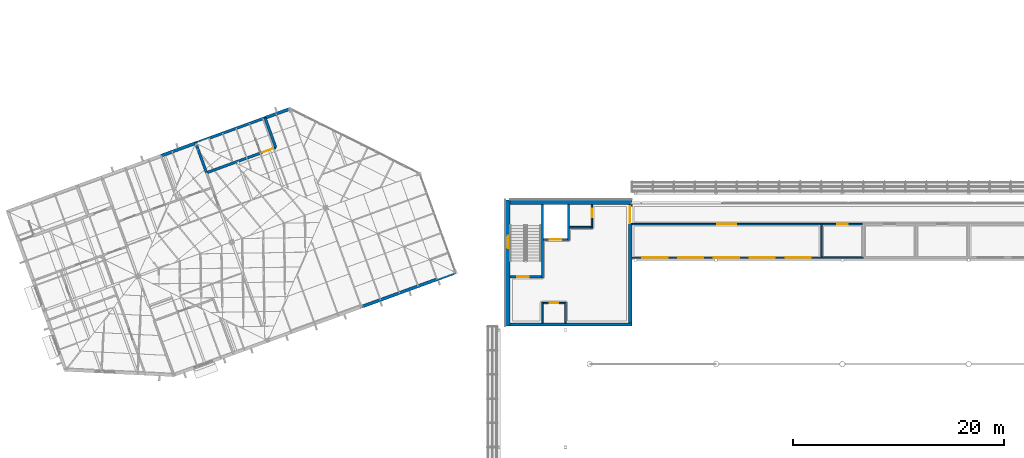
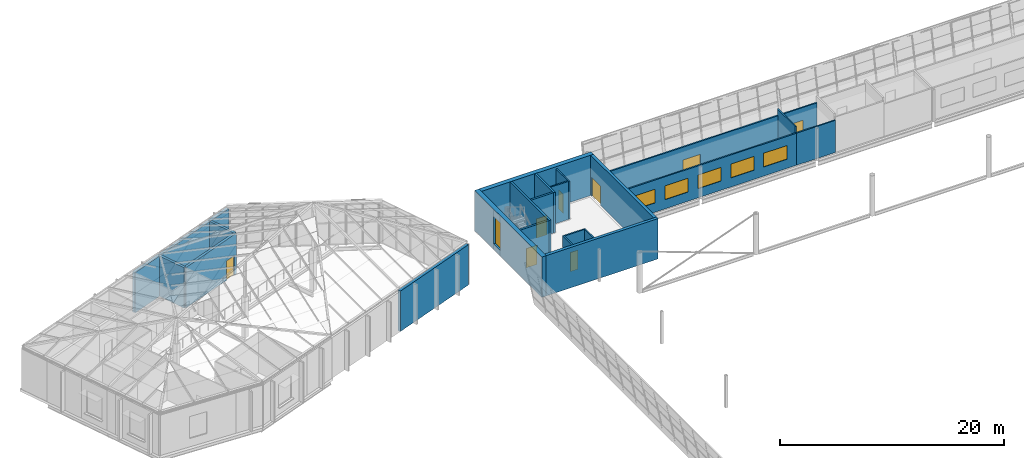
# One storey, part 52 of 95: 25 walls, 8 doors, 6 windows, 14 openings.
"""IFC4 building model written with IfcOpenShell, lengths in metres."""

from ifc_helpers import new_model, si_unit, direction, frame, frame_2d, origin, place, context, subcontext, project, spatial, rectangle, extrude, material, layer, layer_set, type_object, element, fill, save


model = new_model("IFC4")

# Units and contexts
model_context = context("Model", 3, precision=1e-05, world=origin(), true_north=direction((0.0, 1.0)))
body_context = subcontext(model_context, "Body", "Model", "MODEL_VIEW")
ifc_project = project(units=[si_unit("LENGTHUNIT", "METRE"), si_unit("AREAUNIT", "SQUARE_METRE"), si_unit("VOLUMEUNIT", "CUBIC_METRE"), si_unit("PLANEANGLEUNIT", "RADIAN"), si_unit("MASSUNIT", "GRAM", prefix="KILO")], contexts=[model_context])

# Site, building, storey
site_placement = place(None, origin())
site = spatial("IfcSite", under=ifc_project, at=site_placement, CompositionType="ELEMENT")
building_placement = place(site_placement, origin())
building = spatial("IfcBuilding", under=site, at=building_placement, Name="Windward Yard Aquatics Centre", CompositionType="ELEMENT")
storey_placement = place(building_placement, frame((0.0, 0.0, 9.39990234375)))
storey = spatial("IfcBuildingStorey", under=building, at=storey_placement, Name="L02", CompositionType="ELEMENT", Elevation=9.39990234375)

# Wall
ifc_material_1 = material(Name="Concrete C40/50", Category="concrete")
ifc_layer_1 = layer(ifc_material_1, 0.25)
ifc_layer_set_1 = layer_set([ifc_layer_1], Name="F core wall 250 Concrete C40/50")
wall_type_1 = type_object("IfcWallType", Name="F core wall 250 Concrete C40/50", PredefinedType="SOLIDWALL", material=ifc_layer_set_1)
wall_1_placement = place(storey_placement, frame((23.60595703125, 98.577880859375, 0.0), z_axis=(0.0, 0.0, 1.0), x_axis=(-0.342037080957, 0.939686455819, 0.0)))
element("IfcWall", 1, at=wall_1_placement, inside=storey, type_object=wall_type_1, Name="F.WL.L02.C05", PredefinedType="SOLIDWALL", context=body_context, shape_type="SweptSolid", body=[
    extrude(rectangle(XDim=3.0, YDim=0.25, at=frame_2d((1.5, 0.0))), origin(), (0.0, 0.0, 1.0), 4.400146484375),
])

# Wall, opening, door
wall_2_placement = place(storey_placement, frame((23.60595703125, 98.577880859375, 0.0), z_axis=(0.0, 0.0, 1.0), x_axis=(0.939693585395, 0.342017493073, 0.0)))
wall_2 = element("IfcWall", 2, at=wall_2_placement, inside=storey, type_object=wall_type_1, Name="F.WL.L02.C06", PredefinedType="SOLIDWALL", context=body_context, shape_type="SweptSolid", body=[
    extrude(rectangle(XDim=6.999755859375, YDim=0.25, at=frame_2d((3.5, 0.0))), origin(), (0.0, 0.0, 1.0), 4.400146484375),
])
opening_1_placement = place(wall_2_placement, frame((5.625, 0.0, 0.0)))
opening_1 = element("IfcOpeningElement", 3, at=opening_1_placement, cuts=wall_2, Name="Opening F2010", PredefinedType="OPENING", context=body_context, shape_type="SweptSolid", body=[
    extrude(rectangle(XDim=1.10009765625, YDim=2.10009765625, at=frame_2d((0.550048828125, 1.050048828125))), frame((0.0, 0.135009765625, 0.0), z_axis=(0.0, -1.0, 0.0), x_axis=(1.0, 0.0, 0.0)), (0.0, 0.0, 1.0), 0.27001953125),
])
ifc_material_2 = material(Name="Steel, painted", Category="steel")
door_type_1 = type_object("IfcDoorType", Name="F fire door 1100x2100 steel", OperationType="SINGLE_SWING_LEFT", PredefinedType="DOOR", material=ifc_material_2)
door_1_placement = place(opening_1_placement, origin())
door_1 = element("IfcDoor", 4, at=door_1_placement, inside=storey, type_object=door_type_1, Name="Stair S2 door F2010", OperationType="SINGLE_SWING_LEFT", OverallHeight=2.10009765625, OverallWidth=1.10009765625, PredefinedType="DOOR", context=body_context, shape_type="SweptSolid", body=[
    extrude(rectangle(XDim=1.10009765625, YDim=2.10009765625, at=frame_2d((0.550048828125, 1.050048828125))), frame((0.0, 0.02490234375, 0.0), z_axis=(0.0, -1.0, 0.0), x_axis=(1.0, 0.0, 0.0)), (0.0, 0.0, 1.0), 0.050048828125),
])
fill(opening_1, door_1)

# Walls
wall_3_placement = place(storey_placement, frame((30.18359375, 100.971923828125, 0.0), z_axis=(0.0, 0.0, 1.0), x_axis=(-0.341965219194, 0.939712609717, 0.0)))
element("IfcWall", 5, at=wall_3_placement, inside=storey, type_object=wall_type_1, Name="F.WL.L02.C07", PredefinedType="SOLIDWALL", context=body_context, shape_type="SweptSolid", body=[
    extrude(rectangle(XDim=3.0, YDim=0.25, at=frame_2d((1.5, 0.0))), origin(), (0.0, 0.0, 1.0), 4.400146484375),
])
wall_4_placement = place(storey_placement, frame((29.15771484375, 103.791015625, 0.0), z_axis=(0.0, 0.0, 1.0), x_axis=(-0.939697665127, -0.342006283793, 0.0)))
element("IfcWall", 6, at=wall_4_placement, inside=storey, type_object=wall_type_1, Name="F.WL.L02.X01", PredefinedType="SOLIDWALL", context=body_context, shape_type="SweptSolid", body=[
    extrude(rectangle(XDim=7.0, YDim=0.25, at=frame_2d((3.5, 0.0))), origin(), (0.0, 0.0, 1.0), 4.400146484375),
])
ifc_material_3 = material(Name="Natural stone cladding", Category="masonry")
ifc_layer_2 = layer(ifc_material_3, 0.04, Name="Cladding")
ifc_material_4 = material(Name="Ventilated air cavity")
ifc_layer_3 = layer(ifc_material_4, 0.04, ventilated=True, Name="Ventilated cavity")
ifc_material_5 = material(Name="Mineral wool insulation")
ifc_layer_4 = layer(ifc_material_5, 0.06, Name="Insulation")
ifc_layer_5 = layer(ifc_material_1, 0.16, Name="Structure")
ifc_layer_set_2 = layer_set([ifc_layer_2, ifc_layer_3, ifc_layer_4, ifc_layer_5], Name="F stone-faced infill wall 300 Concrete C40/50")
wall_type_2 = type_object("IfcWallType", Name="F stone-faced infill wall 300 Concrete C40/50", PredefinedType="ELEMENTEDWALL", material=ifc_layer_set_2)
wall_5_placement = place(storey_placement, frame((38.347412109375, 85.852294921875, 0.0), z_axis=(0.0, 0.0, 1.0), x_axis=(0.939689082478, 0.342029864589, 0.0)))
element("IfcWall", 7, at=wall_5_placement, inside=storey, type_object=wall_type_2, Name="F.WL.L02.E06", PredefinedType="ELEMENTEDWALL", context=body_context, shape_type="SweptSolid", body=[
    extrude(rectangle(XDim=9.5, YDim=0.300048828125, at=frame_2d((4.75, 0.0))), origin(), (0.0, 0.0, 1.0), 4.400146484375),
])
wall_6_placement = place(storey_placement, frame((31.5068359375, 104.64599609375, 0.0), z_axis=(0.0, 0.0, 1.0), x_axis=(-0.939696437289, -0.342009657388, 0.0)))
element("IfcWall", 8, at=wall_6_placement, inside=storey, type_object=wall_type_2, Name="F.WL.L02.E07", PredefinedType="ELEMENTEDWALL", context=body_context, shape_type="SweptSolid", body=[
    extrude(rectangle(XDim=2.499755859375, YDim=0.300048828125, at=frame_2d((1.25, 0.0))), origin(), (0.0, 0.0, 1.0), 4.400146484375),
])
wall_7_placement = place(storey_placement, frame((22.579833984375, 101.39697265625, 0.0), z_axis=(0.0, 0.0, 1.0), x_axis=(-0.939693585395, -0.342017493073, 0.0)))
element("IfcWall", 9, at=wall_7_placement, inside=storey, type_object=wall_type_2, Name="F.WL.L02.E08", PredefinedType="ELEMENTEDWALL", context=body_context, shape_type="SweptSolid", body=[
    extrude(rectangle(XDim=3.5, YDim=0.300048828125, at=frame_2d((1.75, 0.0))), origin(), (0.0, 0.0, 1.0), 4.400146484375),
])
ifc_material_6 = material(Name="Concrete C35/45", Category="concrete")
ifc_layer_6 = layer(ifc_material_6, 0.199951171875)
ifc_layer_set_3 = layer_set([ifc_layer_6], Name="H Enclosure Wall Concrete C35/45 200")
wall_type_3 = type_object("IfcWallType", Name="H Enclosure Wall Concrete C35/45 200", PredefinedType="SOLIDWALL", material=ifc_layer_set_3)
wall_8_placement = place(storey_placement, frame((55.5, 95.550048828125, 0.0), z_axis=(0.0, 0.0, 1.0), x_axis=(0.0, -1.0, 0.0)))
element("IfcWall", 10, at=wall_8_placement, inside=storey, type_object=wall_type_3, Name="L02 W1 enclosure wall NW", PredefinedType="SOLIDWALL", context=body_context, shape_type="SweptSolid", body=[
    extrude(rectangle(XDim=6.949951171875, YDim=0.199951171875, at=frame_2d((3.47509765625, 0.0))), origin(), (0.0, 0.0, 1.0), 4.400146484375),
])

# Wall, opening, door
wall_9_placement = place(storey_placement, frame((52.449951171875, 88.699951171875, 0.0), z_axis=(0.0, 0.0, 1.0), x_axis=(1.0, 0.0, 0.0)))
wall_9 = element("IfcWall", 11, at=wall_9_placement, inside=storey, type_object=wall_type_3, Name="L02 W2 enclosure wall NW", PredefinedType="SOLIDWALL", context=body_context, shape_type="SweptSolid", body=[
    extrude(rectangle(XDim=2.949951171875, YDim=0.199951171875, at=frame_2d((1.47509765625, 0.0))), origin(), (0.0, 0.0, 1.0), 4.400146484375),
])
opening_2_placement = place(wall_9_placement, frame((0.64990234375, 0.0, 0.0)))
opening_2 = element("IfcOpeningElement", 12, at=opening_2_placement, cuts=wall_9, Name="Opening H2011", PredefinedType="OPENING", context=body_context, shape_type="SweptSolid", body=[
    extrude(rectangle(XDim=1.10009765625, YDim=2.10009765625, at=frame_2d((0.550048828125, 1.050048828125))), frame((0.0, 0.10986328125, 0.0), z_axis=(0.0, -1.0, 0.0), x_axis=(1.0, 0.0, 0.0)), (0.0, 0.0, 1.0), 0.219970703125),
])
ifc_material_7 = material(Name="Steel and timber door leaf", Category="steel")
door_type_2 = type_object("IfcDoorType", Name="H Door Single 1100 x 2100 FD60", OperationType="NOTDEFINED", PredefinedType="DOOR", material=ifc_material_7)
door_2_placement = place(opening_2_placement, origin())
door_2 = element("IfcDoor", 13, at=door_2_placement, inside=storey, type_object=door_type_2, Name="L02 stair NW door", OperationType="SINGLE_SWING_RIGHT", OverallHeight=2.10009765625, OverallWidth=1.10009765625, PredefinedType="DOOR", context=body_context, shape_type="SweptSolid", body=[
    extrude(rectangle(XDim=1.10009765625, YDim=2.10009765625, at=frame_2d((0.550048828125, 1.050048828125))), frame((0.0, 0.02490234375, 0.0), z_axis=(0.0, -1.0, 0.0), x_axis=(1.0, 0.0, 0.0)), (0.0, 0.0, 1.0), 0.050048828125),
])
fill(opening_2, door_2)

# Wall
wall_10_placement = place(storey_placement, frame((58.0, 95.550048828125, 0.0), z_axis=(0.0, 0.0, 1.0), x_axis=(0.0, -1.0, 0.0)))
element("IfcWall", 14, at=wall_10_placement, inside=storey, type_object=wall_type_3, Name="L02 W3 enclosure wall NW", PredefinedType="SOLIDWALL", context=body_context, shape_type="SweptSolid", body=[
    extrude(rectangle(XDim=3.400146484375, YDim=0.199951171875, at=frame_2d((1.7001953125, 0.0))), origin(), (0.0, 0.0, 1.0), 4.400146484375),
])

# Wall, opening, door
wall_11_placement = place(storey_placement, frame((55.60009765625, 92.25, 0.0), z_axis=(0.0, 0.0, 1.0), x_axis=(1.0, 0.0, 0.0)))
wall_11 = element("IfcWall", 15, at=wall_11_placement, inside=storey, type_object=wall_type_3, Name="L02 W4 enclosure wall NW", PredefinedType="SOLIDWALL", context=body_context, shape_type="SweptSolid", body=[
    extrude(rectangle(XDim=2.2998046875, YDim=0.199951171875, at=frame_2d((1.14990234375, 0.0))), origin(), (0.0, 0.0, 1.0), 4.400146484375),
])
opening_3_placement = place(wall_11_placement, frame((0.60009765625, 0.0, 0.0)))
opening_3 = element("IfcOpeningElement", 16, at=opening_3_placement, cuts=wall_11, Name="Opening H2012", PredefinedType="OPENING", context=body_context, shape_type="SweptSolid", body=[
    extrude(rectangle(XDim=1.10009765625, YDim=2.10009765625, at=frame_2d((0.550048828125, 1.050048828125))), frame((0.0, 0.10986328125, 0.0), z_axis=(0.0, -1.0, 0.0), x_axis=(1.0, 0.0, 0.0)), (0.0, 0.0, 1.0), 0.219970703125),
])
ifc_material_8 = material(Name="Stainless steel 1.4301", Category="steel")
door_type_3 = type_object("IfcDoorType", Name="H Lift Landing Door 1100 x 2100", OperationType="DOUBLE_DOOR_SLIDING", PredefinedType="DOOR", material=ifc_material_8)
door_3_placement = place(opening_3_placement, origin())
door_3 = element("IfcDoor", 17, at=door_3_placement, inside=storey, type_object=door_type_3, Name="Lift NW landing door L02", OperationType="DOUBLE_DOOR_SLIDING", OverallHeight=2.10009765625, OverallWidth=1.10009765625, PredefinedType="DOOR", context=body_context, shape_type="SweptSolid", body=[
    extrude(rectangle(XDim=1.10009765625, YDim=2.10009765625, at=frame_2d((0.550048828125, 1.050048828125))), frame((0.0, 0.02490234375, 0.0), z_axis=(0.0, -1.0, 0.0), x_axis=(1.0, 0.0, 0.0)), (0.0, 0.0, 1.0), 0.050048828125),
])
fill(opening_3, door_3)

# Wall
ifc_material_9 = material(Name="Blockwork 150 mm", Category="masonry")
ifc_layer_7 = layer(ifc_material_9, 0.14990234375)
ifc_layer_set_4 = layer_set([ifc_layer_7], Name="H Partition Blockwork 150")
wall_type_4 = type_object("IfcWallType", Name="H Partition Blockwork 150", PredefinedType="PARTITIONING", material=ifc_layer_set_4)
wall_12_placement = place(storey_placement, frame((58.10009765625, 93.39990234375, 0.0), z_axis=(0.0, 0.0, 1.0), x_axis=(1.0, 0.0, 0.0)))
element("IfcWall", 18, at=wall_12_placement, inside=storey, type_object=wall_type_4, Name="L02 R1N riser wall NW", PredefinedType="PARTITIONING", context=body_context, shape_type="SweptSolid", body=[
    extrude(rectangle(XDim=2.02490234375, YDim=0.14990234375, at=frame_2d((1.012451171875, 0.0))), origin(), (0.0, 0.0, 1.0), 4.150146484375),
])

# Wall, opening, door
wall_13_placement = place(storey_placement, frame((60.199951171875, 95.550048828125, 0.0), z_axis=(0.0, 0.0, 1.0), x_axis=(0.0, -1.0, 0.0)))
wall_13 = element("IfcWall", 19, at=wall_13_placement, inside=storey, type_object=wall_type_4, Name="L02 R1E riser wall NW", PredefinedType="PARTITIONING", context=body_context, shape_type="SweptSolid", body=[
    extrude(rectangle(XDim=2.22509765625, YDim=0.14990234375, at=frame_2d((1.112548828125, 0.0))), origin(), (0.0, 0.0, 1.0), 4.150146484375),
])
opening_4_placement = place(wall_13_placement, frame((0.39990234375, 0.0, 0.0)))
opening_4 = element("IfcOpeningElement", 20, at=opening_4_placement, cuts=wall_13, Name="Opening H2013", PredefinedType="OPENING", context=body_context, shape_type="SweptSolid", body=[
    extrude(rectangle(XDim=0.800048828125, YDim=2.10009765625, at=frame_2d((0.39990234375, 1.050048828125))), frame((0.0, 0.0849609375, 0.0), z_axis=(0.0, -1.0, 0.0), x_axis=(1.0, 0.0, 0.0)), (0.0, 0.0, 1.0), 0.169921875),
])
door_type_4 = type_object("IfcDoorType", Name="H Door Riser 800 x 2100 FD60", OperationType="NOTDEFINED", PredefinedType="DOOR", material=ifc_material_7)
door_4_placement = place(opening_4_placement, origin())
door_4 = element("IfcDoor", 21, at=door_4_placement, inside=storey, type_object=door_type_4, Name="L02 electrical riser NW door", OperationType="SINGLE_SWING_LEFT", OverallHeight=2.10009765625, OverallWidth=0.800048828125, PredefinedType="DOOR", context=body_context, shape_type="SweptSolid", body=[
    extrude(rectangle(XDim=0.800048828125, YDim=2.10009765625, at=frame_2d((0.39990234375, 1.050048828125))), frame((0.0, 0.02490234375, 0.0), z_axis=(0.0, -1.0, 0.0), x_axis=(1.0, 0.0, 0.0)), (0.0, 0.0, 1.0), 0.050048828125),
])
fill(opening_4, door_4)

wall_14_placement = place(storey_placement, frame((55.574951171875, 86.199951171875, 0.0), z_axis=(0.0, 0.0, 1.0), x_axis=(1.0, 0.0, 0.0)))
wall_14 = element("IfcWall", 22, at=wall_14_placement, inside=storey, type_object=wall_type_4, Name="L02 R2S riser wall NW", PredefinedType="PARTITIONING", context=body_context, shape_type="SweptSolid", body=[
    extrude(rectangle(XDim=2.050048828125, YDim=0.14990234375, at=frame_2d((1.02490234375, 0.0))), origin(), (0.0, 0.0, 1.0), 4.150146484375),
])
opening_5_placement = place(wall_14_placement, frame((0.625, 0.0, 0.0)))
opening_5 = element("IfcOpeningElement", 23, at=opening_5_placement, cuts=wall_14, Name="Opening H2014", PredefinedType="OPENING", context=body_context, shape_type="SweptSolid", body=[
    extrude(rectangle(XDim=0.800048828125, YDim=2.10009765625, at=frame_2d((0.39990234375, 1.050048828125))), frame((0.0, 0.0849609375, 0.0), z_axis=(0.0, -1.0, 0.0), x_axis=(1.0, 0.0, 0.0)), (0.0, 0.0, 1.0), 0.169921875),
])
door_5_placement = place(opening_5_placement, origin())
door_5 = element("IfcDoor", 24, at=door_5_placement, inside=storey, type_object=door_type_4, Name="L02 communications riser NW door", OperationType="SINGLE_SWING_RIGHT", OverallHeight=2.10009765625, OverallWidth=0.800048828125, PredefinedType="DOOR", context=body_context, shape_type="SweptSolid", body=[
    extrude(rectangle(XDim=0.800048828125, YDim=2.10009765625, at=frame_2d((0.39990234375, 1.050048828125))), frame((0.0, 0.02490234375, 0.0), z_axis=(0.0, -1.0, 0.0), x_axis=(1.0, 0.0, 0.0)), (0.0, 0.0, 1.0), 0.050048828125),
])
fill(opening_5, door_5)

# Walls
for number, where, z_axis, x_axis, name in (
    (25, (55.5, 86.27490234375, 0.0), (0.0, 0.0, 1.0), (0.0, -1.0, 0.0), "L02 R2W riser wall NW"),
    (26, (57.699951171875, 86.27490234375, 0.0), (0.0, 0.0, 1.0), (0.0, -1.0, 0.0), "L02 R2E riser wall NW"),
):
    element("IfcWall", number, at=place(storey_placement, frame(where, z_axis=z_axis, x_axis=x_axis)), inside=storey, type_object=wall_type_4, Name=name, PredefinedType="PARTITIONING", context=body_context, shape_type="SweptSolid", body=[
        extrude(rectangle(XDim=1.974853515625, YDim=0.14990234375, at=frame_2d((0.9873046875, 0.0))), origin(), (0.0, 0.0, 1.0), 4.150146484375),
    ])

# Wall, opening, door
wall_15_placement = place(storey_placement, frame((64.0, 93.699951171875, 0.0), z_axis=(0.0, 0.0, 1.0), x_axis=(1.0, 0.0, 0.0)))
wall_15 = element("IfcWall", 27, at=wall_15_placement, inside=storey, type_object=wall_type_4, Name="L02 partition Hospitality Lounge", PredefinedType="PARTITIONING", context=body_context, shape_type="SweptSolid", body=[
    extrude(rectangle(XDim=17.925048828125, YDim=0.14990234375, at=frame_2d((8.96240234375, 0.0))), origin(), (0.0, 0.0, 1.0), 3.49609375),
])
opening_6_placement = place(wall_15_placement, frame((8.10009765625, 0.0, 0.0)))
opening_6 = element("IfcOpeningElement", 28, at=opening_6_placement, cuts=wall_15, Name="Opening H2029", PredefinedType="OPENING", context=body_context, shape_type="SweptSolid", body=[
    extrude(rectangle(XDim=1.800048828125, YDim=2.10009765625, at=frame_2d((0.89990234375, 1.050048828125))), frame((0.0, 0.0849609375, 0.0), z_axis=(0.0, -1.0, 0.0), x_axis=(1.0, 0.0, 0.0)), (0.0, 0.0, 1.0), 0.169921875),
])
door_type_5 = type_object("IfcDoorType", Name="H Door Double 1800 x 2100 FD30S", OperationType="DOUBLE_DOOR_SINGLE_SWING", PredefinedType="DOOR", material=ifc_material_7)
door_6_placement = place(opening_6_placement, origin())
door_6 = element("IfcDoor", 29, at=door_6_placement, inside=storey, type_object=door_type_5, Name="L02 Hospitality Lounge door", OperationType="DOUBLE_DOOR_SINGLE_SWING", OverallHeight=2.10009765625, OverallWidth=1.800048828125, PredefinedType="DOOR", context=body_context, shape_type="SweptSolid", body=[
    extrude(rectangle(XDim=1.800048828125, YDim=2.10009765625, at=frame_2d((0.89990234375, 1.050048828125))), frame((0.0, 0.02490234375, 0.0), z_axis=(0.0, -1.0, 0.0), x_axis=(1.0, 0.0, 0.0)), (0.0, 0.0, 1.0), 0.050048828125),
])
fill(opening_6, door_6)

# Wall
wall_16_placement = place(storey_placement, frame((82.0, 90.59033203125, 0.0), z_axis=(0.0, 0.0, 1.0), x_axis=(0.0, 1.0, 0.0)))
element("IfcWall", 30, at=wall_16_placement, inside=storey, type_object=wall_type_4, Name="L02 partition Hospitality Lounge", PredefinedType="PARTITIONING", context=body_context, shape_type="SweptSolid", body=[
    extrude(rectangle(XDim=3.1845703125, YDim=0.14990234375, at=frame_2d((1.59228515625, 0.0))), origin(), (0.0, 0.0, 1.0), 4.150146484375),
])

# Wall, openings, windows
wall_17_placement = place(storey_placement, frame((64.0, 90.515380859375, 0.0), z_axis=(0.0, 0.0, 1.0), x_axis=(1.0, 0.0, 0.0)))
wall_17 = element("IfcWall", 31, at=wall_17_placement, inside=storey, type_object=wall_type_4, Name="L02 wall Hospitality Lounge", PredefinedType="PARTITIONING", context=body_context, shape_type="SweptSolid", body=[
    extrude(rectangle(XDim=18.0, YDim=0.14990234375, at=frame_2d((9.0, 0.0))), origin(), (0.0, 0.0, 1.0), 3.49609375),
])
opening_7_placement = place(wall_17_placement, frame((1.0, 0.0, 1.0)))
opening_7 = element("IfcOpeningElement", 32, at=opening_7_placement, cuts=wall_17, Name="Opening W2067", PredefinedType="OPENING", context=body_context, shape_type="SweptSolid", body=[
    extrude(rectangle(XDim=2.39990234375, YDim=1.5, at=frame_2d((1.199951171875, 0.75))), frame((0.0, 0.0849609375, 0.0), z_axis=(0.0, -1.0, 0.0), x_axis=(1.0, 0.0, 0.0)), (0.0, 0.0, 1.0), 0.169921875),
])
opening_8_placement = place(wall_17_placement, frame((4.39990234375, 0.0, 1.0)))
opening_8 = element("IfcOpeningElement", 33, at=opening_8_placement, cuts=wall_17, Name="Opening W2068", PredefinedType="OPENING", context=body_context, shape_type="SweptSolid", body=[
    extrude(rectangle(XDim=2.39990234375, YDim=1.5, at=frame_2d((1.199951171875, 0.75))), frame((0.0, 0.0849609375, 0.0), z_axis=(0.0, -1.0, 0.0), x_axis=(1.0, 0.0, 0.0)), (0.0, 0.0, 1.0), 0.169921875),
])
opening_9_placement = place(wall_17_placement, frame((7.800048828125, 0.0, 1.0)))
opening_9 = element("IfcOpeningElement", 34, at=opening_9_placement, cuts=wall_17, Name="Opening W2069", PredefinedType="OPENING", context=body_context, shape_type="SweptSolid", body=[
    extrude(rectangle(XDim=2.39990234375, YDim=1.5, at=frame_2d((1.199951171875, 0.75))), frame((0.0, 0.0849609375, 0.0), z_axis=(0.0, -1.0, 0.0), x_axis=(1.0, 0.0, 0.0)), (0.0, 0.0, 1.0), 0.169921875),
])
opening_10_placement = place(wall_17_placement, frame((11.199951171875, 0.0, 1.0)))
opening_10 = element("IfcOpeningElement", 35, at=opening_10_placement, cuts=wall_17, Name="Opening W2070", PredefinedType="OPENING", context=body_context, shape_type="SweptSolid", body=[
    extrude(rectangle(XDim=2.39990234375, YDim=1.5, at=frame_2d((1.199951171875, 0.75))), frame((0.0, 0.0849609375, 0.0), z_axis=(0.0, -1.0, 0.0), x_axis=(1.0, 0.0, 0.0)), (0.0, 0.0, 1.0), 0.169921875),
])
opening_11_placement = place(wall_17_placement, frame((14.60009765625, 0.0, 1.0)))
opening_11 = element("IfcOpeningElement", 36, at=opening_11_placement, cuts=wall_17, Name="Opening W2071", PredefinedType="OPENING", context=body_context, shape_type="SweptSolid", body=[
    extrude(rectangle(XDim=2.39990234375, YDim=1.5, at=frame_2d((1.199951171875, 0.75))), frame((0.0, 0.0849609375, 0.0), z_axis=(0.0, -1.0, 0.0), x_axis=(1.0, 0.0, 0.0)), (0.0, 0.0, 1.0), 0.169921875),
])
ifc_material_10 = material(Name="Laminated glass in aluminium frame", Category="aluminium")
window_type_1 = type_object("IfcWindowType", Name="H Gallery Window 2400 x 1500", PartitioningType="SINGLE_PANEL", PredefinedType="WINDOW", material=ifc_material_10)
window_1_placement = place(opening_7_placement, origin())
window_1 = element("IfcWindow", 37, at=window_1_placement, inside=storey, type_object=window_type_1, Name="L02 Hospitality Lounge viewing window", OverallHeight=1.5, OverallWidth=2.39990234375, PartitioningType="SINGLE_PANEL", PredefinedType="WINDOW", context=body_context, shape_type="SweptSolid", body=[
    extrude(rectangle(XDim=2.39990234375, YDim=1.5, at=frame_2d((1.199951171875, 0.75))), frame((0.0, 0.030029296875, 0.0), z_axis=(0.0, -1.0, 0.0), x_axis=(1.0, 0.0, 0.0)), (0.0, 0.0, 1.0), 0.06005859375),
])
fill(opening_7, window_1)
window_2_placement = place(opening_8_placement, origin())
window_2 = element("IfcWindow", 38, at=window_2_placement, inside=storey, type_object=window_type_1, Name="L02 Hospitality Lounge viewing window", OverallHeight=1.5, OverallWidth=2.39990234375, PartitioningType="SINGLE_PANEL", PredefinedType="WINDOW", context=body_context, shape_type="SweptSolid", body=[
    extrude(rectangle(XDim=2.39990234375, YDim=1.5, at=frame_2d((1.199951171875, 0.75))), frame((0.0, 0.030029296875, 0.0), z_axis=(0.0, -1.0, 0.0), x_axis=(1.0, 0.0, 0.0)), (0.0, 0.0, 1.0), 0.06005859375),
])
fill(opening_8, window_2)
window_3_placement = place(opening_9_placement, origin())
window_3 = element("IfcWindow", 39, at=window_3_placement, inside=storey, type_object=window_type_1, Name="L02 Hospitality Lounge viewing window", OverallHeight=1.5, OverallWidth=2.39990234375, PartitioningType="SINGLE_PANEL", PredefinedType="WINDOW", context=body_context, shape_type="SweptSolid", body=[
    extrude(rectangle(XDim=2.39990234375, YDim=1.5, at=frame_2d((1.199951171875, 0.75))), frame((0.0, 0.030029296875, 0.0), z_axis=(0.0, -1.0, 0.0), x_axis=(1.0, 0.0, 0.0)), (0.0, 0.0, 1.0), 0.06005859375),
])
fill(opening_9, window_3)
window_4_placement = place(opening_10_placement, origin())
window_4 = element("IfcWindow", 40, at=window_4_placement, inside=storey, type_object=window_type_1, Name="L02 Hospitality Lounge viewing window", OverallHeight=1.5, OverallWidth=2.39990234375, PartitioningType="SINGLE_PANEL", PredefinedType="WINDOW", context=body_context, shape_type="SweptSolid", body=[
    extrude(rectangle(XDim=2.39990234375, YDim=1.5, at=frame_2d((1.199951171875, 0.75))), frame((0.0, 0.030029296875, 0.0), z_axis=(0.0, -1.0, 0.0), x_axis=(1.0, 0.0, 0.0)), (0.0, 0.0, 1.0), 0.06005859375),
])
fill(opening_10, window_4)
window_5_placement = place(opening_11_placement, origin())
window_5 = element("IfcWindow", 41, at=window_5_placement, inside=storey, type_object=window_type_1, Name="L02 Hospitality Lounge viewing window", OverallHeight=1.5, OverallWidth=2.39990234375, PartitioningType="SINGLE_PANEL", PredefinedType="WINDOW", context=body_context, shape_type="SweptSolid", body=[
    extrude(rectangle(XDim=2.39990234375, YDim=1.5, at=frame_2d((1.199951171875, 0.75))), frame((0.0, 0.030029296875, 0.0), z_axis=(0.0, -1.0, 0.0), x_axis=(1.0, 0.0, 0.0)), (0.0, 0.0, 1.0), 0.06005859375),
])
fill(opening_11, window_5)

# Wall, opening, door
wall_18_placement = place(storey_placement, frame((82.074951171875, 93.699951171875, 0.0), z_axis=(0.0, 0.0, 1.0), x_axis=(1.0, 0.0, 0.0)))
wall_18 = element("IfcWall", 42, at=wall_18_placement, inside=storey, type_object=wall_type_4, Name="L02 partition Accessible WC", PredefinedType="PARTITIONING", context=body_context, shape_type="SweptSolid", body=[
    extrude(rectangle(XDim=3.85009765625, YDim=0.14990234375, at=frame_2d((1.925048828125, 0.0))), origin(), (0.0, 0.0, 1.0), 3.49609375),
])
opening_12_placement = place(wall_18_placement, frame((1.425048828125, 0.0, 0.0)))
opening_12 = element("IfcOpeningElement", 43, at=opening_12_placement, cuts=wall_18, Name="Opening H2030", PredefinedType="OPENING", context=body_context, shape_type="SweptSolid", body=[
    extrude(rectangle(XDim=1.0, YDim=2.10009765625, at=frame_2d((0.5, 1.050048828125))), frame((0.0, 0.0849609375, 0.0), z_axis=(0.0, -1.0, 0.0), x_axis=(1.0, 0.0, 0.0)), (0.0, 0.0, 1.0), 0.169921875),
])
door_type_6 = type_object("IfcDoorType", Name="H Door Single 1000 x 2100 FD30S", OperationType="NOTDEFINED", PredefinedType="DOOR", material=ifc_material_7)
door_7_placement = place(opening_12_placement, origin())
door_7 = element("IfcDoor", 44, at=door_7_placement, inside=storey, type_object=door_type_6, Name="L02 Accessible WC door", OperationType="SINGLE_SWING_RIGHT", OverallHeight=2.10009765625, OverallWidth=1.0, PredefinedType="DOOR", context=body_context, shape_type="SweptSolid", body=[
    extrude(rectangle(XDim=1.0, YDim=2.10009765625, at=frame_2d((0.5, 1.050048828125))), frame((0.0, 0.02490234375, 0.0), z_axis=(0.0, -1.0, 0.0), x_axis=(1.0, 0.0, 0.0)), (0.0, 0.0, 1.0), 0.050048828125),
])
fill(opening_12, door_7)

# Wall
wall_19_placement = place(storey_placement, frame((82.0, 90.515380859375, 0.0), z_axis=(0.0, 0.0, 1.0), x_axis=(1.0, 0.0, 0.0)))
element("IfcWall", 45, at=wall_19_placement, inside=storey, type_object=wall_type_4, Name="L02 wall Accessible WC", PredefinedType="PARTITIONING", context=body_context, shape_type="SweptSolid", body=[
    extrude(rectangle(XDim=4.0, YDim=0.14990234375, at=frame_2d((2.0, 0.0))), origin(), (0.0, 0.0, 1.0), 3.49609375),
])

# Wall, opening, window
ifc_layer_8 = layer(ifc_material_3, 0.04, Name="Cladding")
ifc_layer_9 = layer(ifc_material_4, 0.05, ventilated=True, Name="Ventilated cavity")
ifc_layer_10 = layer(ifc_material_5, 0.08, Name="Insulation")
ifc_layer_11 = layer(ifc_material_6, 0.28, Name="Structure")
ifc_layer_set_5 = layer_set([ifc_layer_8, ifc_layer_9, ifc_layer_10, ifc_layer_11], Name="H plinth wall stone faced 450 C35/45")
wall_type_5 = type_object("IfcWallType", Name="H plinth wall stone faced 450 C35/45", PredefinedType="ELEMENTEDWALL", material=ifc_layer_set_5)
wall_20_placement = place(storey_placement, frame((52.22509765625, 96.0, 0.0), z_axis=(0.0, 0.0, 1.0), x_axis=(0.0, -1.0, 0.0)))
wall_20 = element("IfcWall", 46, at=wall_20_placement, inside=storey, type_object=wall_type_5, Name="H.CW.NW.W.L02", PredefinedType="ELEMENTEDWALL", context=body_context, shape_type="SweptSolid", body=[
    extrude(rectangle(XDim=12.0, YDim=0.449951171875, at=frame_2d((6.0, 0.0))), origin(), (0.0, 0.0, 1.0), 4.400146484375),
])
opening_13_placement = place(wall_20_placement, frame((3.39990234375, 0.0, 0.60009765625)))
opening_13 = element("IfcOpeningElement", 47, at=opening_13_placement, cuts=wall_20, Name="Opening W2046", PredefinedType="OPENING", context=body_context, shape_type="SweptSolid", body=[
    extrude(rectangle(XDim=1.199951171875, YDim=3.0, at=frame_2d((0.60009765625, 1.5))), frame((0.0, 0.23486328125, 0.0), z_axis=(0.0, -1.0, 0.0), x_axis=(1.0, 0.0, 0.0)), (0.0, 0.0, 1.0), 0.469970703125),
])
ifc_material_11 = material(Name="Fire-resisting glazing in steel frame", Category="steel")
window_type_2 = type_object("IfcWindowType", Name="H Core Stair Window 1200 x 3000 EI 60", PartitioningType="SINGLE_PANEL", PredefinedType="WINDOW", material=ifc_material_11)
window_6_placement = place(opening_13_placement, origin())
window_6 = element("IfcWindow", 48, at=window_6_placement, inside=storey, type_object=window_type_2, Name="L02 core NW stair window", OverallHeight=3.0, OverallWidth=1.199951171875, PartitioningType="SINGLE_PANEL", PredefinedType="WINDOW", context=body_context, shape_type="SweptSolid", body=[
    extrude(rectangle(XDim=1.199951171875, YDim=3.0, at=frame_2d((0.60009765625, 1.5))), frame((0.0, 0.030029296875, 0.0), z_axis=(0.0, -1.0, 0.0), x_axis=(1.0, 0.0, 0.0)), (0.0, 0.0, 1.0), 0.06005859375),
])
fill(opening_13, window_6)

# Wall
wall_21_placement = place(storey_placement, frame((52.449951171875, 95.77490234375, 0.0), z_axis=(0.0, 0.0, 1.0), x_axis=(1.0, 0.0, 0.0)))
element("IfcWall", 49, at=wall_21_placement, inside=storey, type_object=wall_type_5, Name="H.CW.NW.N.L02", PredefinedType="ELEMENTEDWALL", context=body_context, shape_type="SweptSolid", body=[
    extrude(rectangle(XDim=11.550048828125, YDim=0.449951171875, at=frame_2d((5.77490234375, 0.0))), origin(), (0.0, 0.0, 1.0), 4.400146484375),
])

# Wall, opening, door
ifc_layer_12 = layer(ifc_material_6, 0.300048828125)
ifc_layer_set_6 = layer_set([ifc_layer_12], Name="H rear wall 300 C35/45")
wall_type_6 = type_object("IfcWallType", Name="H rear wall 300 C35/45", PredefinedType="SOLIDWALL", material=ifc_layer_set_6)
wall_22_placement = place(storey_placement, frame((63.85009765625, 95.550048828125, 0.0), z_axis=(0.0, 0.0, 1.0), x_axis=(0.0, -1.0, 0.0)))
wall_22 = element("IfcWall", 50, at=wall_22_placement, inside=storey, type_object=wall_type_6, Name="H.CW.NW.E.L02", PredefinedType="SOLIDWALL", context=body_context, shape_type="SweptSolid", body=[
    extrude(rectangle(XDim=11.25, YDim=0.300048828125, at=frame_2d((5.625, 0.0))), origin(), (0.0, 0.0, 1.0), 4.400146484375),
])
opening_14_placement = place(wall_22_placement, frame((0.14990234375, 0.0, 0.0)))
opening_14 = element("IfcOpeningElement", 51, at=opening_14_placement, cuts=wall_22, Name="Opening H2015", PredefinedType="OPENING", context=body_context, shape_type="SweptSolid", body=[
    extrude(rectangle(XDim=1.60009765625, YDim=2.10009765625, at=frame_2d((0.800048828125, 1.050048828125))), frame((0.0, 0.16015625, 0.0), z_axis=(0.0, -1.0, 0.0), x_axis=(1.0, 0.0, 0.0)), (0.0, 0.0, 1.0), 0.320068359375),
])
door_type_7 = type_object("IfcDoorType", Name="H Door Double 1600 x 2100 FD60", OperationType="DOUBLE_DOOR_SINGLE_SWING", PredefinedType="DOOR", material=ifc_material_7)
door_8_placement = place(opening_14_placement, origin())
door_8 = element("IfcDoor", 52, at=door_8_placement, inside=storey, type_object=door_type_7, Name="L02 core NW door to strip", OperationType="DOUBLE_DOOR_SINGLE_SWING", OverallHeight=2.10009765625, OverallWidth=1.60009765625, PredefinedType="DOOR", context=body_context, shape_type="SweptSolid", body=[
    extrude(rectangle(XDim=1.60009765625, YDim=2.10009765625, at=frame_2d((0.800048828125, 1.050048828125))), frame((0.0, 0.02490234375, 0.0), z_axis=(0.0, -1.0, 0.0), x_axis=(1.0, 0.0, 0.0)), (0.0, 0.0, 1.0), 0.050048828125),
])
fill(opening_14, door_8)

# Wall
wall_23_placement = place(storey_placement, frame((52.449951171875, 84.14990234375, 0.0), z_axis=(0.0, 0.0, 1.0), x_axis=(1.0, 0.0, 0.0)))
element("IfcWall", 53, at=wall_23_placement, inside=storey, type_object=wall_type_6, Name="H.CW.NW.S.L02", PredefinedType="SOLIDWALL", context=body_context, shape_type="SweptSolid", body=[
    extrude(rectangle(XDim=11.550048828125, YDim=0.300048828125, at=frame_2d((5.77490234375, 0.0))), origin(), (0.0, 0.0, 1.0), 4.400146484375),
])

save(model, "model.ifc")
